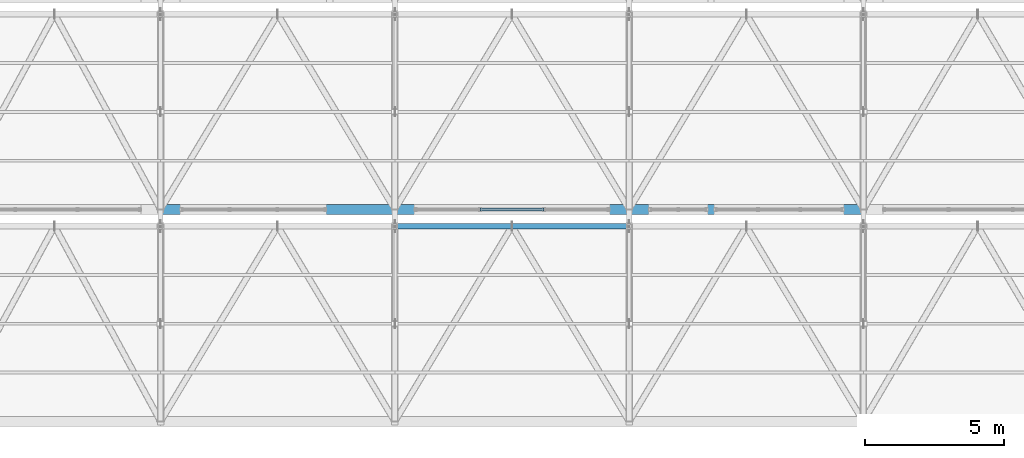
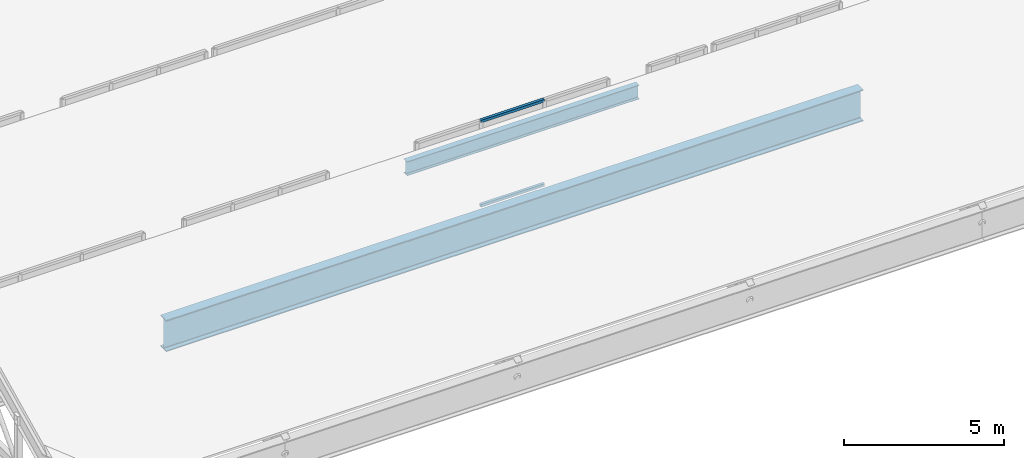
# One storey, part 23 of 57: 3 members, 1 beam, 1 element without a shape of its own.
"""IFC4 building model written with IfcOpenShell, lengths in metres."""

import ifcopenshell
import ifcopenshell.guid

model = None  # the IFC model being written
_history = None  # IfcOwnerHistory: only IFC2X3 demands one
_inside = {}  # id of a spatial element -> (the spatial element, [elements in it])
_under = {}  # id of a project, library or spatial element -> (it, [spatial elements below it])
_declared = {}  # id of a project -> (the project, [libraries it declares])
_typed = {}  # id of a type object -> (the type object, [elements of that type])
_made_of = {}  # id of a material, layer set ... -> (it, [elements and type objects made of it])


def new_model(schema):
    """Start an empty IFC model of exactly this schema.

    Asked for "IFC4X3", IfcOpenShell would pick the latest addendum, in which some entities
    have other attributes; the version numbers below select the first issue.
    IFC2X3 requires an IfcOwnerHistory on every rooted entity: one is made here for all.
    """
    global model, _history
    if schema == "IFC4X3":
        model = ifcopenshell.file(schema_version=(4, 3, 0, 0))
    else:
        model = ifcopenshell.file(schema=schema)
    _inside.clear()
    _under.clear()
    _declared.clear()
    _typed.clear()
    _made_of.clear()
    _history = None
    if model.schema == "IFC2X3":
        org = make("IfcOrganization", Name="unknown")
        user = make(
            "IfcPersonAndOrganization",
            ThePerson=make("IfcPerson", FamilyName="unknown"),
            TheOrganization=org,
        )
        app = make(
            "IfcApplication",
            ApplicationDeveloper=org,
            Version="unknown",
            ApplicationFullName="unknown",
            ApplicationIdentifier="unknown",
        )
        _history = make(
            "IfcOwnerHistory",
            OwningUser=user,
            OwningApplication=app,
            ChangeAction="ADDED",
            CreationDate=0,
        )
    return model


def make(cls, **values):
    """One entity of the class cls with the attributes given. An attribute that is None is left unset."""
    return model.create_entity(
        cls, **{name: value for name, value in values.items() if value is not None}
    )


def rooted(cls, **values):
    """An entity with a GlobalId (a new one), such as an element, a storey or a relation."""
    return make(cls, GlobalId=ifcopenshell.guid.new(), OwnerHistory=_history, **values)


def si_unit(unit_type, name, prefix=None):
    """IfcSIUnit, for example si_unit("LENGTHUNIT", "METRE", prefix="MILLI")."""
    return make("IfcSIUnit", UnitType=unit_type, Prefix=prefix, Name=name)


def assignment(units):
    """IfcUnitAssignment: the units of a project."""
    return None if units is None else make("IfcUnitAssignment", Units=units)


def point(xyz):
    """IfcCartesianPoint."""
    return None if xyz is None else make("IfcCartesianPoint", Coordinates=xyz)


def direction(xyz):
    """IfcDirection."""
    return None if xyz is None else make("IfcDirection", DirectionRatios=xyz)


def frame(location, z_axis=None, x_axis=None):
    """IfcAxis2Placement3D, a coordinate frame: its origin and axes. An axis left out is left unset."""
    return make(
        "IfcAxis2Placement3D",
        Location=point(location),
        Axis=direction(z_axis),
        RefDirection=direction(x_axis),
    )


def frame_2d(location, x_axis=None):
    """IfcAxis2Placement2D, a coordinate frame in the plane: its origin and x axis."""
    return make(
        "IfcAxis2Placement2D", Location=point(location), RefDirection=direction(x_axis)
    )


def origin():
    """The frame at (0, 0, 0) with its axes left unset."""
    return frame((0.0, 0.0, 0.0))


def origin_2d():
    """The frame at (0, 0) in the plane with its x axis left unset."""
    return frame_2d((0.0, 0.0))


def place(relative_to, where):
    """IfcLocalPlacement: puts the frame where relative to a parent placement (None: the world)."""
    return make(
        "IfcLocalPlacement", PlacementRelTo=relative_to, RelativePlacement=where
    )


def context(
    kind, dimensions, precision=None, world=None, true_north=None, identifier=None
):
    """IfcGeometricRepresentationContext, for example the 3D "Model" context."""
    return make(
        "IfcGeometricRepresentationContext",
        ContextIdentifier=identifier,
        ContextType=kind,
        CoordinateSpaceDimension=dimensions,
        Precision=precision,
        WorldCoordinateSystem=world,
        TrueNorth=true_north,
    )


def subcontext(parent, identifier, kind, view, scale=None):
    """IfcGeometricRepresentationSubContext, for example "Body" below "Model"."""
    return make(
        "IfcGeometricRepresentationSubContext",
        ContextIdentifier=identifier,
        ContextType=kind,
        ParentContext=parent,
        TargetScale=scale,
        TargetView=view,
    )


def project(units=None, contexts=None):
    """IfcProject with its units and contexts."""
    return rooted(
        "IfcProject",
        Name="project",
        RepresentationContexts=contexts,
        UnitsInContext=assignment(units),
    )


def spatial(cls, under=None, at=None, **own):
    """A site, building, storey or space (cls), placed at a placement, below another one or the project."""
    s = rooted(cls, ObjectPlacement=at, **own)
    if under is not None:
        _under.setdefault(under.id(), (under, []))[1].append(s)
    return s


def profile(cls, at=None, kind="AREA", **sizes):
    """A parametric profile (cls). Its sizes go by their IFC names, for example OverallWidth=200.0."""
    return make(cls, ProfileType=kind, Position=at, **sizes)


def hollow_rectangle(**sizes):
    """IfcRectangleHollowProfileDef."""
    return profile("IfcRectangleHollowProfileDef", **sizes)


def i_section(**sizes):
    """IfcIShapeProfileDef."""
    return profile("IfcIShapeProfileDef", **sizes)


def extrude(swept, where, along, depth):
    """IfcExtrudedAreaSolid: the profile swept, set in the frame where, extruded along a direction by depth."""
    return make(
        "IfcExtrudedAreaSolid",
        SweptArea=swept,
        Position=where,
        ExtrudedDirection=direction(along),
        Depth=depth,
    )


def shape(context_of_items, identifier, shape_type, items):
    """IfcShapeRepresentation: the items that make up one representation, for example the "Body"."""
    return make(
        "IfcShapeRepresentation",
        ContextOfItems=context_of_items,
        RepresentationIdentifier=identifier,
        RepresentationType=shape_type,
        Items=items,
    )


def material(Name=None, Category=None):
    """IfcMaterial."""
    return make("IfcMaterial", Name=Name, Category=Category)


def material_profile(
    of_material, cross_section, Name=None, Category=None, Priority=None
):
    """IfcMaterialProfile: a cross section and its material."""
    return make(
        "IfcMaterialProfile",
        Name=Name,
        Material=of_material,
        Profile=cross_section,
        Priority=Priority,
        Category=Category,
    )


def profile_set(profiles, Name=None, composite=None):
    """IfcMaterialProfileSet."""
    return make(
        "IfcMaterialProfileSet",
        Name=Name,
        MaterialProfiles=profiles,
        CompositeProfile=composite,
    )


def made_of(thing, what):
    """Note that an element or type object is made of a material, layer set ...; save() writes the relation."""
    if what is not None:
        _made_of.setdefault(what.id(), (what, []))[1].append(thing)
    return thing


def type_object(cls, material=None, **own):
    """A type object (cls), such as IfcWallType, which elements share."""
    return made_of(rooted(cls, **own), material)


def element(
    cls,
    number,
    at=None,
    inside=None,
    cuts=None,
    type_object=None,
    material=None,
    context=None,
    identifier="Body",
    shape_type=None,
    held_by="IfcProductDefinitionShape",
    body=None,
    shapes=None,
    **own,
):
    """One element of the class cls, such as IfcWall. Its Tag is "e" and its number.

    at: its placement. inside: the storey or other place that contains it. cuts: it is an
    opening in that element (IfcRelVoidsElement). A single representation is given by context,
    identifier, shape_type and body (its items); several are given by shapes. held_by: the class
    of the entity that holds the representations. save() writes the other relations.
    """
    e = rooted(cls, Tag="e%d" % number, ObjectPlacement=at, **own)
    if body is not None:
        shapes = [shape(context, identifier, shape_type, body)]
    if shapes is not None:
        e.Representation = make(held_by, Representations=shapes)
    if inside is not None:
        _inside.setdefault(inside.id(), (inside, []))[1].append(e)
    if cuts is not None:
        rooted(
            "IfcRelVoidsElement", RelatingBuildingElement=cuts, RelatedOpeningElement=e
        )
    if type_object is not None:
        _typed.setdefault(type_object.id(), (type_object, []))[1].append(e)
    return made_of(e, material)


def aggregate(whole, parts):
    """IfcRelAggregates: a whole, such as a stair, and the parts it consists of."""
    return rooted("IfcRelAggregates", RelatingObject=whole, RelatedObjects=parts)


def save(model, path):
    """Write the relations noted so far, then the file.

    IfcRelAggregates (storeys below a building ...), IfcRelContainedInSpatialStructure (elements
    in a storey), IfcRelDefinesByType, IfcRelAssociatesMaterial and IfcRelDeclares: one each for
    every whole, place, type object, material and project.
    """
    for whole, parts in _under.values():
        aggregate(whole, parts)
    for where, things in _inside.values():
        rooted(
            "IfcRelContainedInSpatialStructure",
            RelatedElements=things,
            RelatingStructure=where,
        )
    for kind, things in _typed.values():
        rooted("IfcRelDefinesByType", RelatedObjects=things, RelatingType=kind)
    for what, things in _made_of.values():
        rooted("IfcRelAssociatesMaterial", RelatedObjects=things, RelatingMaterial=what)
    for by, libraries in _declared.values():
        rooted("IfcRelDeclares", RelatingContext=by, RelatedDefinitions=libraries)
    model.write(path)


model = new_model("IFC4")

# Units and contexts
model_context = context("Model", 3, precision=1e-05, world=origin(), true_north=direction((0.0, 1.0)))
body_context = subcontext(model_context, "Body", "Model", "MODEL_VIEW")
ifc_project = project(units=[si_unit("LENGTHUNIT", "METRE"), si_unit("AREAUNIT", "SQUARE_METRE"), si_unit("VOLUMEUNIT", "CUBIC_METRE"), si_unit("PLANEANGLEUNIT", "RADIAN"), si_unit("MASSUNIT", "GRAM", prefix="KILO")], contexts=[model_context])

# Site, building, storey
site_placement = place(None, origin())
site = spatial("IfcSite", under=ifc_project, at=site_placement, CompositionType="ELEMENT")
building_placement = place(site_placement, origin())
building = spatial("IfcBuilding", under=site, at=building_placement, Name="Zuvorla Pavilion Media Centre", CompositionType="ELEMENT")
storey_placement = place(building_placement, frame((0.0, 0.0, 18.0)))
storey = spatial("IfcBuildingStorey", under=building, at=storey_placement, Name="L04", CompositionType="ELEMENT", Elevation=18.0)

# Beam
ifc_material_1 = material(Name="Steel S355", Category="steel")
ifc_material_profile_1 = material_profile(ifc_material_1, i_section(OverallWidth=0.360107421875, OverallDepth=1.199951171875, WebThickness=0.02001953125, FlangeThickness=0.0380859375, FilletRadius=0.02392578125, at=origin_2d()), Name="PG 1200x360x38")
ifc_profile_set_1 = profile_set([ifc_material_profile_1], Name="Steel S355")
beam_type = type_object("IfcBeamType", Name="BM-PG1200", PredefinedType="BEAM", material=ifc_profile_set_1)
beam_placement = place(storey_placement, frame((125.60009765625, 13.60009765625, -0.887939453125), z_axis=(1.0, 0.0, 0.0), x_axis=(0.0, 1.0, 0.0)))
element("IfcBeam", 1, at=beam_placement, inside=storey, type_object=beam_type, Name="L04 beam B01 1818", PredefinedType="BEAM", context=body_context, shape_type="SweptSolid", body=[
    extrude(i_section(OverallWidth=0.360107421875, OverallDepth=1.199951171875, WebThickness=0.02001953125, FlangeThickness=0.0380859375, FilletRadius=0.02392578125, at=origin_2d()), origin(), (0.0, 0.0, 1.0), 25.199951171875),
])

# Curtain wall, members
ifc_material_2 = material(Name="Unitised anodised aluminium and solar glass curtain wall", Category="aluminium")
curtain_wall_type = type_object("IfcCurtainWallType", Name="CW-SYS-92", PredefinedType="USERDEFINED", material=ifc_material_2)
curtain_wall_placement = place(storey_placement, origin())
curtain_wall = element("IfcCurtainWall", 2, at=curtain_wall_placement, inside=storey, type_object=curtain_wall_type, Name="L04 curtain wall CW92 226", ObjectType="CURTAIN WALL", PredefinedType="USERDEFINED")
ifc_material_3 = material(Name="Anodised aluminium 6063-T6", Category="aluminium")
ifc_material_profile_2 = material_profile(ifc_material_3, hollow_rectangle(XDim=0.10009765625, YDim=0.10009765625, WallThickness=0.00439453125, at=origin_2d()), Name="ALU TRAN 100x100")
ifc_profile_set_2 = profile_set([ifc_material_profile_2], Name="Anodised aluminium 6063-T6")
member_type_1 = type_object("IfcMemberType", Name="CW-TRAN-100", PredefinedType="USERDEFINED", material=ifc_profile_set_2)
member_1_placement = place(storey_placement, frame((137.048095703125, 13.60009765625, 0.0), z_axis=(1.0, 0.0, 0.0), x_axis=(0.0, 1.0, 0.0)))
member_1 = element("IfcMember", 3, at=member_1_placement, type_object=member_type_1, Name="CW92 transom 2.1", ObjectType="TRANSOM", PredefinedType="USERDEFINED", context=body_context, shape_type="SweptSolid", body=[
    extrude(hollow_rectangle(XDim=0.10009765625, YDim=0.10009765625, WallThickness=0.00439453125, at=origin_2d()), origin(), (0.0, 0.0, 1.0), 2.3037109375),
])
member_2_placement = place(storey_placement, frame((137.048095703125, 13.60009765625, 3.219970703125), z_axis=(1.0, 0.0, 0.0), x_axis=(0.0, 1.0, 0.0)))
member_2 = element("IfcMember", 4, at=member_2_placement, type_object=member_type_1, Name="CW92 transom 2.2", ObjectType="TRANSOM", PredefinedType="USERDEFINED", context=body_context, shape_type="SweptSolid", body=[
    extrude(hollow_rectangle(XDim=0.10009765625, YDim=0.10009765625, WallThickness=0.00439453125, at=origin_2d()), origin(), (0.0, 0.0, 1.0), 2.3037109375),
])
aggregate(curtain_wall, [member_1, member_2])

# Member
ifc_material_profile_3 = material_profile(ifc_material_1, i_section(OverallWidth=0.2099609375, OverallDepth=0.53662109375, WebThickness=0.0107421875, FlangeThickness=0.017333984375, FilletRadius=0.0126953125, at=origin_2d()), Name="UB 533x210x101")
ifc_profile_set_3 = profile_set([ifc_material_profile_3], Name="Steel S355")
member_type_2 = type_object("IfcMemberType", Name="MEM-CHD-UB533", PredefinedType="CHORD", material=ifc_profile_set_3)
member_3_placement = place(storey_placement, frame((134.0, 13.0, 2.882080078125), z_axis=(1.0, 0.0, 0.0), x_axis=(0.0, 1.0, 0.0)))
element("IfcMember", 5, at=member_3_placement, inside=storey, type_object=member_type_2, Name="L04 chord TC02 540", PredefinedType="CHORD", context=body_context, shape_type="SweptSolid", body=[
    extrude(i_section(OverallWidth=0.2099609375, OverallDepth=0.53662109375, WebThickness=0.0107421875, FlangeThickness=0.017333984375, FilletRadius=0.0126953125, at=origin_2d()), origin(), (0.0, 0.0, 1.0), 8.39990234375),
])

save(model, "model.ifc")
